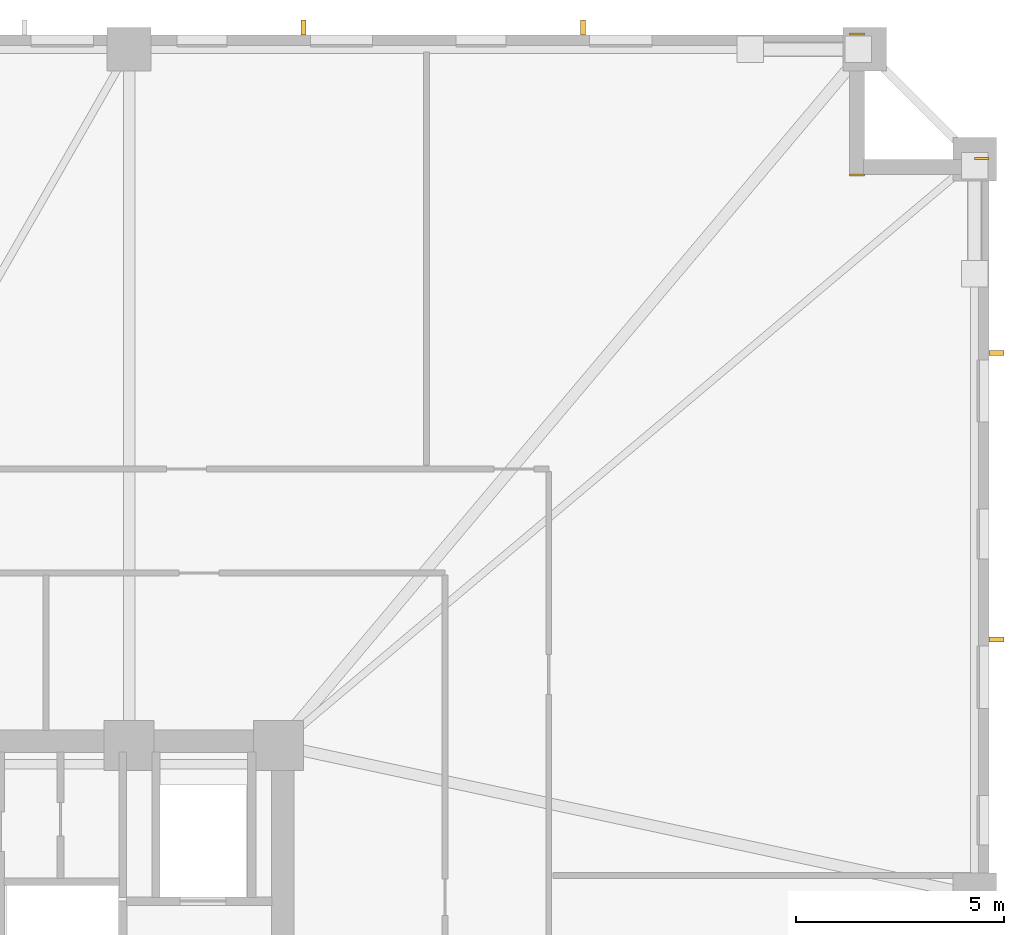
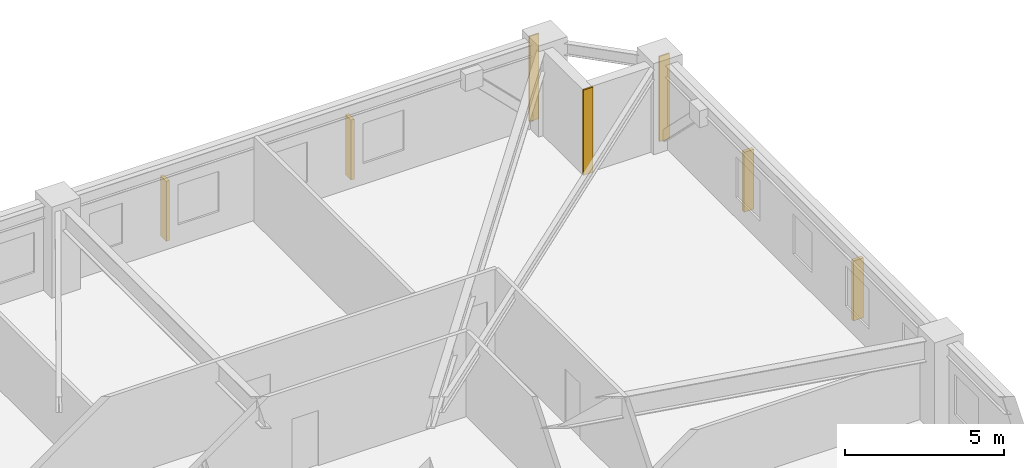
# One storey, part 11 of 11: 4 shading devices, 3 coverings.
"""IFC4 building model written with IfcOpenShell, lengths in metres."""

from ifc_helpers import new_model, si_unit, direction, frame, frame_2d, origin, origin_2d, place, context, subcontext, project, spatial, rectangle, extrude, material, layer, layer_set, type_object, element, save


model = new_model("IFC4")

# Units and contexts
model_context = context("Model", 3, precision=1e-05, world=origin(), true_north=direction((0.0, 1.0)))
body_context = subcontext(model_context, "Body", "Model", "MODEL_VIEW")
ifc_project = project(units=[si_unit("LENGTHUNIT", "METRE"), si_unit("AREAUNIT", "SQUARE_METRE"), si_unit("VOLUMEUNIT", "CUBIC_METRE"), si_unit("PLANEANGLEUNIT", "RADIAN"), si_unit("MASSUNIT", "GRAM", prefix="KILO")], contexts=[model_context])

# Site, building, storey
site_placement = place(None, origin())
site = spatial("IfcSite", under=ifc_project, at=site_placement, CompositionType="ELEMENT")
building_placement = place(site_placement, origin())
building = spatial("IfcBuilding", under=site, at=building_placement, Name="Cairnveth Concourse Tower", CompositionType="ELEMENT")
storey_placement = place(building_placement, frame((0.0, 0.0, 58.5)))
storey = spatial("IfcBuildingStorey", under=building, at=storey_placement, Name="L15", CompositionType="ELEMENT", Elevation=58.5)

# Coverings
ifc_material_1 = material(Name="Dressed Melbourne Bluestone Cladding", Category="masonry")
ifc_layer = layer(ifc_material_1, 0.050048828125)
ifc_layer_set = layer_set([ifc_layer], Name="Dressed Melbourne Bluestone Cladding")
covering_type = type_object("IfcCoveringType", Name="DRESSED BLUESTONE PLINTH CLADDING 50", PredefinedType="CLADDING", material=ifc_layer_set)
for number, where, z_axis, x_axis, name in (
    (1, (74.139892578125, 64.52001953125, 0.0), (0.0, 0.0, 1.0), (1.0, 0.0, 0.0), "Melbourne Bluestone Corner Quoin L15-193"),
    (2, (74.139892578125, 61.1201171875, 0.0), (0.0, 0.0, 1.0), (1.0, 0.0, 0.0), "Melbourne Bluestone Corner Quoin L15-194"),
    (3, (77.139892578125, 61.52001953125, 0.0), (0.0, 0.0, 1.0), (1.0, 0.0, 0.0), "Melbourne Bluestone Corner Quoin L15-195"),
):
    element("IfcCovering", number, at=place(storey_placement, frame(where, z_axis=z_axis, x_axis=x_axis)), inside=storey, type_object=covering_type, Name=name, PredefinedType="CLADDING", context=body_context, shape_type="SweptSolid", body=[
        extrude(rectangle(XDim=0.360107421875, YDim=0.050048828125, at=frame_2d((0.18017578125, 0.0))), origin(), (0.0, 0.0, 1.0), 3.280029296875),
    ])

# Shading devices
ifc_material_2 = material(Name="Architectural Bronze Anodised Aluminium 6063-T6", Category="aluminium")
shading_device_type = type_object("IfcShadingDeviceType", Name="GOTHIC BRONZE VERTICAL LANCET FIN", PredefinedType="USERDEFINED", material=ifc_material_2)
for number, where, z_axis, x_axis, name in (
    (4, (61.00146484375, 64.675048828125, 0.02978515625), (0.0, 0.0, 1.0), (1.0, 0.0, 0.0), "Gothic Bronze Vertical Fin L15-9-9"),
    (5, (67.721923828125, 64.675048828125, 0.02978515625), (0.0, 0.0, 1.0), (1.0, 0.0, 0.0), "Gothic Bronze Vertical Fin L15-9-11"),
    (6, (77.675048828125, 56.838134765625, 0.02978515625), (0.0, 0.0, 1.0), (0.0, 1.0, 0.0), "Gothic Bronze Vertical Fin L15-12-1"),
    (7, (77.675048828125, 49.95068359375, 0.02978515625), (0.0, 0.0, 1.0), (0.0, 1.0, 0.0), "Gothic Bronze Vertical Fin L15-12-3"),
):
    element("IfcShadingDevice", number, at=place(storey_placement, frame(where, z_axis=z_axis, x_axis=x_axis)), inside=storey, type_object=shading_device_type, Name=name, ObjectType="VERTICAL FIN", PredefinedType="USERDEFINED", context=body_context, shape_type="SweptSolid", body=[
        extrude(rectangle(XDim=0.1201171875, YDim=0.360107421875, at=origin_2d()), origin(), (0.0, 0.0, 1.0), 2.303955078125),
    ])

save(model, "model.ifc")
